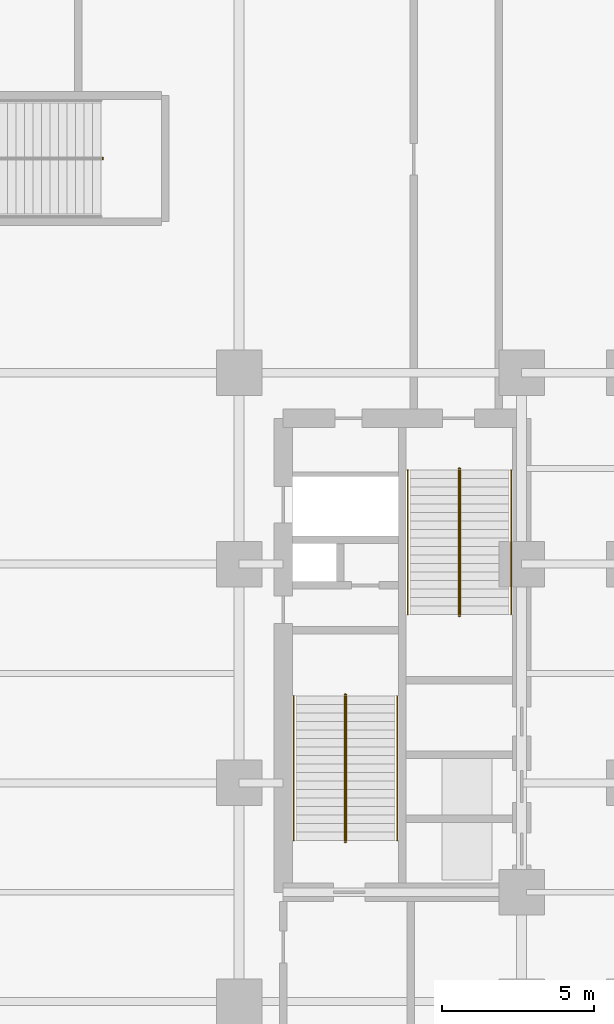
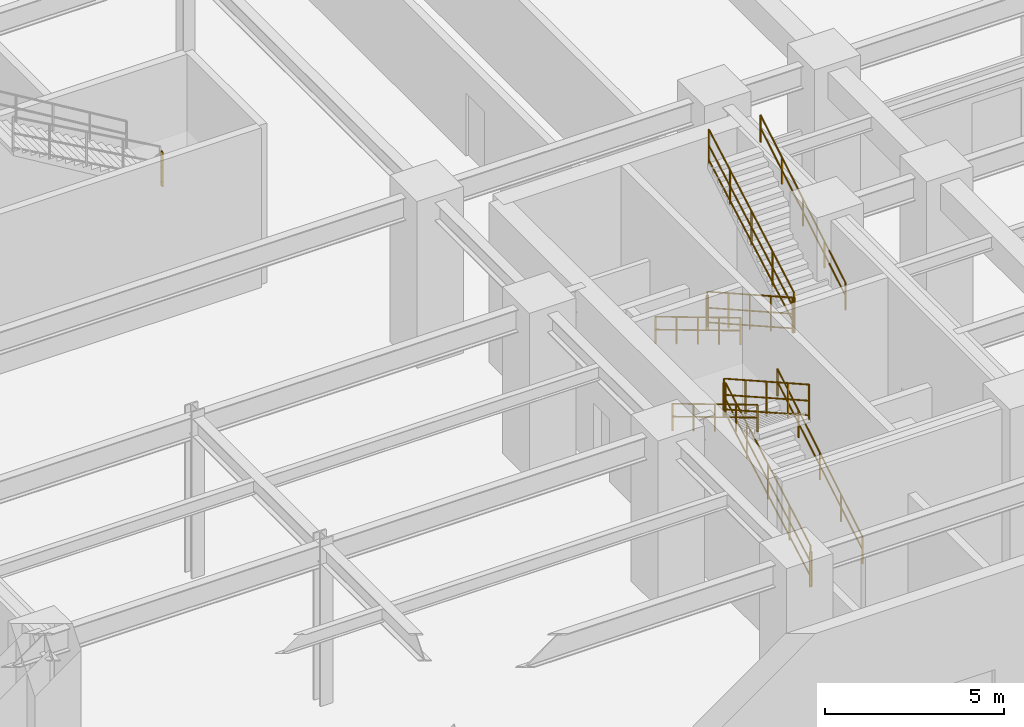
# One storey, part 15 of 18: 13 railings.
"""IFC4 building model written with IfcOpenShell, lengths in metres."""

from ifc_helpers import new_model, entity, si_unit, converted_unit, direction, frame, origin_with_axes, origin_2d_with_axis, place, context, subcontext, project, spatial, rectangle, circle, extrude, material, type_object, element, save


model = new_model("IFC4")

# Units and contexts
model_context = context("Model", 3, precision=1e-05, world=origin_with_axes(), true_north=direction((0.0, 1.0)))
body_context = subcontext(model_context, "Body", "Model", "MODEL_VIEW")
ifc_project = project(units=[si_unit("LENGTHUNIT", "METRE"), si_unit("AREAUNIT", "SQUARE_METRE"), si_unit("VOLUMEUNIT", "CUBIC_METRE"), converted_unit("PLANEANGLEUNIT", "DEGREE", entity("IfcPlaneAngleMeasure", 0.017453292519943295), si_unit("PLANEANGLEUNIT", "RADIAN"), dimensions=[0, 0, 0, 0, 0, 0, 0]), si_unit("MASSUNIT", "GRAM", prefix="KILO"), si_unit("THERMODYNAMICTEMPERATUREUNIT", "KELVIN")], contexts=[model_context])

# Site, building, storey
site_placement = place(None, origin_with_axes())
site = spatial("IfcSite", under=ifc_project, at=site_placement, CompositionType="ELEMENT")
building_placement = place(site_placement, origin_with_axes())
building = spatial("IfcBuilding", under=site, at=building_placement, Name="Varnlund Millrace Tower", CompositionType="ELEMENT")
storey_placement = place(building_placement, origin_with_axes())
storey = spatial("IfcBuildingStorey", under=building, at=storey_placement, Name="L00", CompositionType="ELEMENT", Elevation=0.0)

# Railings
ifc_material_1 = material(Name="Painted steel stair well balustrade guard", Category="steel")
railing_type_1 = type_object("IfcRailingType", Name="Type-StairGuard-1150", PredefinedType="GUARDRAIL", material=ifc_material_1)
railing_1_placement = place(storey_placement, origin_with_axes())
element("IfcRailing", 1, at=railing_1_placement, inside=storey, type_object=railing_type_1, Name="Type-StairGuard-1150", PredefinedType="GUARDRAIL", context=body_context, shape_type="SweptSolid", body=[
    extrude(circle(Radius=0.024, at=origin_2d_with_axis()), frame((42.275, 8.9, 1.317647), z_axis=(0.0, 0.871196, 0.490936), x_axis=(-1.0, 0.0, 0.0)), (0.0, 0.0, 1.0), 5.463755),
    extrude(circle(Radius=0.024, at=origin_2d_with_axis()), frame((42.275, 8.9, 0.267647), z_axis=(0.0, 0.871196, 0.490936), x_axis=(-1.0, 0.0, 0.0)), (0.0, 0.0, 1.0), 5.463755),
    extrude(circle(Radius=0.024, at=origin_2d_with_axis()), frame((42.275, 8.9, 0.765647), z_axis=(0.0, 0.871196, 0.490936), x_axis=(-1.0, 0.0, 0.0)), (0.0, 0.0, 1.0), 5.463755),
    extrude(rectangle(XDim=0.04, YDim=0.04, at=origin_2d_with_axis()), frame((42.275, 8.9, 0.127647), z_axis=(0.0, 0.0, 1.0), x_axis=(1.0, 0.0, 0.0)), (0.0, 0.0, 1.0), 1.19),
    extrude(rectangle(XDim=0.04, YDim=0.04, at=origin_2d_with_axis()), frame((42.275, 10.09, 0.798235), z_axis=(0.0, 0.0, 1.0), x_axis=(1.0, 0.0, 0.0)), (0.0, 0.0, 1.0), 1.19),
    extrude(rectangle(XDim=0.04, YDim=0.04, at=origin_2d_with_axis()), frame((42.275, 11.28, 1.468824), z_axis=(0.0, 0.0, 1.0), x_axis=(1.0, 0.0, 0.0)), (0.0, 0.0, 1.0), 1.19),
    extrude(rectangle(XDim=0.04, YDim=0.04, at=origin_2d_with_axis()), frame((42.275, 12.47, 2.139412), z_axis=(0.0, 0.0, 1.0), x_axis=(1.0, 0.0, 0.0)), (0.0, 0.0, 1.0), 1.19),
    extrude(rectangle(XDim=0.04, YDim=0.04, at=origin_2d_with_axis()), frame((42.275, 13.66, 2.81), z_axis=(0.0, 0.0, 1.0), x_axis=(1.0, 0.0, 0.0)), (0.0, 0.0, 1.0), 1.19),
])
railing_2_placement = place(storey_placement, origin_with_axes())
element("IfcRailing", 2, at=railing_2_placement, inside=storey, type_object=railing_type_1, Name="Type-StairGuard-1150", PredefinedType="GUARDRAIL", context=body_context, shape_type="SweptSolid", body=[
    extrude(circle(Radius=0.024, at=origin_2d_with_axis()), frame((42.225, 13.71, 4.0), z_axis=(1.0, 0.0, 0.0), x_axis=(0.0, 1.0, 0.0)), (0.0, 0.0, 1.0), 0.05),
    extrude(circle(Radius=0.024, at=origin_2d_with_axis()), frame((42.225, 13.71, 2.95), z_axis=(1.0, 0.0, 0.0), x_axis=(0.0, 1.0, 0.0)), (0.0, 0.0, 1.0), 0.05),
    extrude(circle(Radius=0.024, at=origin_2d_with_axis()), frame((42.225, 13.71, 3.448), z_axis=(1.0, 0.0, 0.0), x_axis=(0.0, 1.0, 0.0)), (0.0, 0.0, 1.0), 0.05),
    extrude(rectangle(XDim=0.04, YDim=0.04, at=origin_2d_with_axis()), frame((42.225, 13.71, 2.81), z_axis=(0.0, 0.0, 1.0), x_axis=(1.0, 0.0, 0.0)), (0.0, 0.0, 1.0), 1.19),
    extrude(rectangle(XDim=0.04, YDim=0.04, at=origin_2d_with_axis()), frame((42.275, 13.71, 2.81), z_axis=(0.0, 0.0, 1.0), x_axis=(1.0, 0.0, 0.0)), (0.0, 0.0, 1.0), 1.19),
])
railing_3_placement = place(storey_placement, origin_with_axes())
element("IfcRailing", 3, at=railing_3_placement, inside=storey, type_object=railing_type_1, Name="Type-StairGuard-1150", PredefinedType="GUARDRAIL", context=body_context, shape_type="SweptSolid", body=[
    extrude(circle(Radius=0.024, at=origin_2d_with_axis()), frame((42.225, 13.66, 4.167647), z_axis=(0.0, -0.871196, 0.490936), x_axis=(1.0, 0.0, 0.0)), (0.0, 0.0, 1.0), 5.463755),
    extrude(circle(Radius=0.024, at=origin_2d_with_axis()), frame((42.225, 13.66, 3.117647), z_axis=(0.0, -0.871196, 0.490936), x_axis=(1.0, 0.0, 0.0)), (0.0, 0.0, 1.0), 5.463755),
    extrude(circle(Radius=0.024, at=origin_2d_with_axis()), frame((42.225, 13.66, 3.615647), z_axis=(0.0, -0.871196, 0.490936), x_axis=(1.0, 0.0, 0.0)), (0.0, 0.0, 1.0), 5.463755),
    extrude(rectangle(XDim=0.04, YDim=0.04, at=origin_2d_with_axis()), frame((42.225, 13.66, 2.977647), z_axis=(0.0, 0.0, 1.0), x_axis=(1.0, 0.0, 0.0)), (0.0, 0.0, 1.0), 1.19),
    extrude(rectangle(XDim=0.04, YDim=0.04, at=origin_2d_with_axis()), frame((42.225, 12.47, 3.648235), z_axis=(0.0, 0.0, 1.0), x_axis=(1.0, 0.0, 0.0)), (0.0, 0.0, 1.0), 1.19),
    extrude(rectangle(XDim=0.04, YDim=0.04, at=origin_2d_with_axis()), frame((42.225, 11.28, 4.318824), z_axis=(0.0, 0.0, 1.0), x_axis=(1.0, 0.0, 0.0)), (0.0, 0.0, 1.0), 1.19),
    extrude(rectangle(XDim=0.04, YDim=0.04, at=origin_2d_with_axis()), frame((42.225, 10.09, 4.989412), z_axis=(0.0, 0.0, 1.0), x_axis=(1.0, 0.0, 0.0)), (0.0, 0.0, 1.0), 1.19),
    extrude(rectangle(XDim=0.04, YDim=0.04, at=origin_2d_with_axis()), frame((42.225, 8.9, 5.66), z_axis=(0.0, 0.0, 1.0), x_axis=(1.0, 0.0, 0.0)), (0.0, 0.0, 1.0), 1.19),
])
railing_4_placement = place(storey_placement, origin_with_axes())
element("IfcRailing", 4, at=railing_4_placement, inside=storey, type_object=railing_type_1, Name="Type-StairGuard-1150", PredefinedType="GUARDRAIL", context=body_context, shape_type="SweptSolid", body=[
    extrude(circle(Radius=0.024, at=origin_2d_with_axis()), frame((42.225, 8.85, 1.15), z_axis=(1.0, 0.0, 0.0), x_axis=(0.0, 1.0, 0.0)), (0.0, 0.0, 1.0), 0.05),
    extrude(circle(Radius=0.024, at=origin_2d_with_axis()), frame((42.225, 8.85, 0.1), z_axis=(1.0, 0.0, 0.0), x_axis=(0.0, 1.0, 0.0)), (0.0, 0.0, 1.0), 0.05),
    extrude(circle(Radius=0.024, at=origin_2d_with_axis()), frame((42.225, 8.85, 0.598), z_axis=(1.0, 0.0, 0.0), x_axis=(0.0, 1.0, 0.0)), (0.0, 0.0, 1.0), 0.05),
    extrude(rectangle(XDim=0.04, YDim=0.04, at=origin_2d_with_axis()), frame((42.225, 8.85, -0.04), z_axis=(0.0, 0.0, 1.0), x_axis=(1.0, 0.0, 0.0)), (0.0, 0.0, 1.0), 1.19),
    extrude(rectangle(XDim=0.04, YDim=0.04, at=origin_2d_with_axis()), frame((42.275, 8.85, -0.04), z_axis=(0.0, 0.0, 1.0), x_axis=(1.0, 0.0, 0.0)), (0.0, 0.0, 1.0), 1.19),
])
railing_5_placement = place(storey_placement, origin_with_axes())
element("IfcRailing", 5, at=railing_5_placement, inside=storey, type_object=railing_type_1, Name="Type-StairGuard-1150", PredefinedType="GUARDRAIL", context=body_context, shape_type="SweptSolid", body=[
    extrude(circle(Radius=0.024, at=origin_2d_with_axis()), frame((45.975, 21.1, 1.317647), z_axis=(0.0, -0.871196, 0.490936), x_axis=(1.0, 0.0, 0.0)), (0.0, 0.0, 1.0), 5.463755),
    extrude(circle(Radius=0.024, at=origin_2d_with_axis()), frame((45.975, 21.1, 0.267647), z_axis=(0.0, -0.871196, 0.490936), x_axis=(1.0, 0.0, 0.0)), (0.0, 0.0, 1.0), 5.463755),
    extrude(circle(Radius=0.024, at=origin_2d_with_axis()), frame((45.975, 21.1, 0.765647), z_axis=(0.0, -0.871196, 0.490936), x_axis=(1.0, 0.0, 0.0)), (0.0, 0.0, 1.0), 5.463755),
    extrude(rectangle(XDim=0.04, YDim=0.04, at=origin_2d_with_axis()), frame((45.975, 21.1, 0.127647), z_axis=(0.0, 0.0, 1.0), x_axis=(1.0, 0.0, 0.0)), (0.0, 0.0, 1.0), 1.19),
    extrude(rectangle(XDim=0.04, YDim=0.04, at=origin_2d_with_axis()), frame((45.975, 19.91, 0.798235), z_axis=(0.0, 0.0, 1.0), x_axis=(1.0, 0.0, 0.0)), (0.0, 0.0, 1.0), 1.19),
    extrude(rectangle(XDim=0.04, YDim=0.04, at=origin_2d_with_axis()), frame((45.975, 18.72, 1.468824), z_axis=(0.0, 0.0, 1.0), x_axis=(1.0, 0.0, 0.0)), (0.0, 0.0, 1.0), 1.19),
    extrude(rectangle(XDim=0.04, YDim=0.04, at=origin_2d_with_axis()), frame((45.975, 17.53, 2.139412), z_axis=(0.0, 0.0, 1.0), x_axis=(1.0, 0.0, 0.0)), (0.0, 0.0, 1.0), 1.19),
    extrude(rectangle(XDim=0.04, YDim=0.04, at=origin_2d_with_axis()), frame((45.975, 16.34, 2.81), z_axis=(0.0, 0.0, 1.0), x_axis=(1.0, 0.0, 0.0)), (0.0, 0.0, 1.0), 1.19),
])
railing_6_placement = place(storey_placement, origin_with_axes())
element("IfcRailing", 6, at=railing_6_placement, inside=storey, type_object=railing_type_1, Name="Type-StairGuard-1150", PredefinedType="GUARDRAIL", context=body_context, shape_type="SweptSolid", body=[
    extrude(circle(Radius=0.024, at=origin_2d_with_axis()), frame((46.025, 16.29, 4.0), z_axis=(-1.0, 0.0, 0.0), x_axis=(0.0, -1.0, 0.0)), (0.0, 0.0, 1.0), 0.05),
    extrude(circle(Radius=0.024, at=origin_2d_with_axis()), frame((46.025, 16.29, 2.95), z_axis=(-1.0, 0.0, 0.0), x_axis=(0.0, -1.0, 0.0)), (0.0, 0.0, 1.0), 0.05),
    extrude(circle(Radius=0.024, at=origin_2d_with_axis()), frame((46.025, 16.29, 3.448), z_axis=(-1.0, 0.0, 0.0), x_axis=(0.0, -1.0, 0.0)), (0.0, 0.0, 1.0), 0.05),
    extrude(rectangle(XDim=0.04, YDim=0.04, at=origin_2d_with_axis()), frame((46.025, 16.29, 2.81), z_axis=(0.0, 0.0, 1.0), x_axis=(1.0, 0.0, 0.0)), (0.0, 0.0, 1.0), 1.19),
    extrude(rectangle(XDim=0.04, YDim=0.04, at=origin_2d_with_axis()), frame((45.975, 16.29, 2.81), z_axis=(0.0, 0.0, 1.0), x_axis=(1.0, 0.0, 0.0)), (0.0, 0.0, 1.0), 1.19),
])
railing_7_placement = place(storey_placement, origin_with_axes())
element("IfcRailing", 7, at=railing_7_placement, inside=storey, type_object=railing_type_1, Name="Type-StairGuard-1150", PredefinedType="GUARDRAIL", context=body_context, shape_type="SweptSolid", body=[
    extrude(circle(Radius=0.024, at=origin_2d_with_axis()), frame((46.025, 16.34, 4.167647), z_axis=(0.0, 0.871196, 0.490936), x_axis=(-1.0, 0.0, 0.0)), (0.0, 0.0, 1.0), 5.463755),
    extrude(circle(Radius=0.024, at=origin_2d_with_axis()), frame((46.025, 16.34, 3.117647), z_axis=(0.0, 0.871196, 0.490936), x_axis=(-1.0, 0.0, 0.0)), (0.0, 0.0, 1.0), 5.463755),
    extrude(circle(Radius=0.024, at=origin_2d_with_axis()), frame((46.025, 16.34, 3.615647), z_axis=(0.0, 0.871196, 0.490936), x_axis=(-1.0, 0.0, 0.0)), (0.0, 0.0, 1.0), 5.463755),
    extrude(rectangle(XDim=0.04, YDim=0.04, at=origin_2d_with_axis()), frame((46.025, 16.34, 2.977647), z_axis=(0.0, 0.0, 1.0), x_axis=(1.0, 0.0, 0.0)), (0.0, 0.0, 1.0), 1.19),
    extrude(rectangle(XDim=0.04, YDim=0.04, at=origin_2d_with_axis()), frame((46.025, 17.53, 3.648235), z_axis=(0.0, 0.0, 1.0), x_axis=(1.0, 0.0, 0.0)), (0.0, 0.0, 1.0), 1.19),
    extrude(rectangle(XDim=0.04, YDim=0.04, at=origin_2d_with_axis()), frame((46.025, 18.72, 4.318824), z_axis=(0.0, 0.0, 1.0), x_axis=(1.0, 0.0, 0.0)), (0.0, 0.0, 1.0), 1.19),
    extrude(rectangle(XDim=0.04, YDim=0.04, at=origin_2d_with_axis()), frame((46.025, 19.91, 4.989412), z_axis=(0.0, 0.0, 1.0), x_axis=(1.0, 0.0, 0.0)), (0.0, 0.0, 1.0), 1.19),
    extrude(rectangle(XDim=0.04, YDim=0.04, at=origin_2d_with_axis()), frame((46.025, 21.1, 5.66), z_axis=(0.0, 0.0, 1.0), x_axis=(1.0, 0.0, 0.0)), (0.0, 0.0, 1.0), 1.19),
])
railing_8_placement = place(storey_placement, origin_with_axes())
element("IfcRailing", 8, at=railing_8_placement, inside=storey, type_object=railing_type_1, Name="Type-StairGuard-1150", PredefinedType="GUARDRAIL", context=body_context, shape_type="SweptSolid", body=[
    extrude(circle(Radius=0.024, at=origin_2d_with_axis()), frame((46.025, 21.15, 1.15), z_axis=(-1.0, 0.0, 0.0), x_axis=(0.0, -1.0, 0.0)), (0.0, 0.0, 1.0), 0.05),
    extrude(circle(Radius=0.024, at=origin_2d_with_axis()), frame((46.025, 21.15, 0.1), z_axis=(-1.0, 0.0, 0.0), x_axis=(0.0, -1.0, 0.0)), (0.0, 0.0, 1.0), 0.05),
    extrude(circle(Radius=0.024, at=origin_2d_with_axis()), frame((46.025, 21.15, 0.598), z_axis=(-1.0, 0.0, 0.0), x_axis=(0.0, -1.0, 0.0)), (0.0, 0.0, 1.0), 0.05),
    extrude(rectangle(XDim=0.04, YDim=0.04, at=origin_2d_with_axis()), frame((46.025, 21.15, -0.04), z_axis=(0.0, 0.0, 1.0), x_axis=(1.0, 0.0, 0.0)), (0.0, 0.0, 1.0), 1.19),
    extrude(rectangle(XDim=0.04, YDim=0.04, at=origin_2d_with_axis()), frame((45.975, 21.15, -0.04), z_axis=(0.0, 0.0, 1.0), x_axis=(1.0, 0.0, 0.0)), (0.0, 0.0, 1.0), 1.19),
])
railing_9_placement = place(storey_placement, origin_with_axes())
element("IfcRailing", 9, at=railing_9_placement, inside=storey, type_object=railing_type_1, Name="Type-StairGuard-1150", PredefinedType="GUARDRAIL", context=body_context, shape_type="SweptSolid", body=[
    extrude(circle(Radius=0.024, at=origin_2d_with_axis()), frame((34.26, 31.375, 4.0), z_axis=(0.0, -1.0, 0.0), x_axis=(1.0, 0.0, 0.0)), (0.0, 0.0, 1.0), 0.05),
    extrude(circle(Radius=0.024, at=origin_2d_with_axis()), frame((34.26, 31.375, 2.95), z_axis=(0.0, -1.0, 0.0), x_axis=(1.0, 0.0, 0.0)), (0.0, 0.0, 1.0), 0.05),
    extrude(circle(Radius=0.024, at=origin_2d_with_axis()), frame((34.26, 31.375, 3.448), z_axis=(0.0, -1.0, 0.0), x_axis=(1.0, 0.0, 0.0)), (0.0, 0.0, 1.0), 0.05),
    extrude(rectangle(XDim=0.04, YDim=0.04, at=origin_2d_with_axis()), frame((34.26, 31.375, 2.81), z_axis=(0.0, 0.0, 1.0), x_axis=(1.0, 0.0, 0.0)), (0.0, 0.0, 1.0), 1.19),
    extrude(rectangle(XDim=0.04, YDim=0.04, at=origin_2d_with_axis()), frame((34.26, 31.325, 2.81), z_axis=(0.0, 0.0, 1.0), x_axis=(1.0, 0.0, 0.0)), (0.0, 0.0, 1.0), 1.19),
])
ifc_material_2 = material(Name="Brushed architectural bronze stair handrail", Category="aluminium")
railing_type_2 = type_object("IfcRailingType", Name="Type-StairHandrail-900", PredefinedType="HANDRAIL", material=ifc_material_2)
railing_10_placement = place(storey_placement, origin_with_axes())
element("IfcRailing", 10, at=railing_10_placement, inside=storey, type_object=railing_type_2, Name="Type-StairHandrail-900", PredefinedType="HANDRAIL", context=body_context, shape_type="SweptSolid", body=[
    extrude(circle(Radius=0.024, at=origin_2d_with_axis()), frame((43.95, 8.9, 1.047056), z_axis=(0.0, 0.85797, 0.5137), x_axis=(-1.0, 0.0, 0.0)), (0.0, 0.0, 1.0), 5.547982),
    extrude(circle(Radius=0.024, at=origin_2d_with_axis()), frame((43.95, 8.9, 0.607351), z_axis=(0.0, 0.85797, 0.5137), x_axis=(-1.0, 0.0, 0.0)), (0.0, 0.0, 1.0), 5.547982),
    extrude(rectangle(XDim=0.04, YDim=0.04, at=origin_2d_with_axis()), frame((43.95, 8.9, 0.127647), z_axis=(0.0, 0.0, 1.0), x_axis=(1.0, 0.0, 0.0)), (0.0, 0.0, 1.0), 0.919409),
    extrude(rectangle(XDim=0.04, YDim=0.04, at=origin_2d_with_axis()), frame((43.95, 10.09, 0.840147), z_axis=(0.0, 0.0, 1.0), x_axis=(1.0, 0.0, 0.0)), (0.0, 0.0, 1.0), 0.919409),
    extrude(rectangle(XDim=0.04, YDim=0.04, at=origin_2d_with_axis()), frame((43.95, 11.28, 1.552647), z_axis=(0.0, 0.0, 1.0), x_axis=(1.0, 0.0, 0.0)), (0.0, 0.0, 1.0), 0.919409),
    extrude(rectangle(XDim=0.04, YDim=0.04, at=origin_2d_with_axis()), frame((43.95, 12.47, 2.265147), z_axis=(0.0, 0.0, 1.0), x_axis=(1.0, 0.0, 0.0)), (0.0, 0.0, 1.0), 0.919409),
    extrude(rectangle(XDim=0.04, YDim=0.04, at=origin_2d_with_axis()), frame((43.95, 13.66, 2.977647), z_axis=(0.0, 0.0, 1.0), x_axis=(1.0, 0.0, 0.0)), (0.0, 0.0, 1.0), 0.919409),
])
railing_11_placement = place(storey_placement, origin_with_axes())
element("IfcRailing", 11, at=railing_11_placement, inside=storey, type_object=railing_type_2, Name="Type-StairHandrail-900", PredefinedType="HANDRAIL", context=body_context, shape_type="SweptSolid", body=[
    extrude(circle(Radius=0.024, at=origin_2d_with_axis()), frame((40.55, 13.66, 3.897056), z_axis=(0.0, -0.85797, 0.5137), x_axis=(1.0, 0.0, 0.0)), (0.0, 0.0, 1.0), 5.547982),
    extrude(circle(Radius=0.024, at=origin_2d_with_axis()), frame((40.55, 13.66, 3.457351), z_axis=(0.0, -0.85797, 0.5137), x_axis=(1.0, 0.0, 0.0)), (0.0, 0.0, 1.0), 5.547982),
    extrude(rectangle(XDim=0.04, YDim=0.04, at=origin_2d_with_axis()), frame((40.55, 13.66, 2.977647), z_axis=(0.0, 0.0, 1.0), x_axis=(1.0, 0.0, 0.0)), (0.0, 0.0, 1.0), 0.919409),
    extrude(rectangle(XDim=0.04, YDim=0.04, at=origin_2d_with_axis()), frame((40.55, 12.47, 3.690147), z_axis=(0.0, 0.0, 1.0), x_axis=(1.0, 0.0, 0.0)), (0.0, 0.0, 1.0), 0.919409),
    extrude(rectangle(XDim=0.04, YDim=0.04, at=origin_2d_with_axis()), frame((40.55, 11.28, 4.402647), z_axis=(0.0, 0.0, 1.0), x_axis=(1.0, 0.0, 0.0)), (0.0, 0.0, 1.0), 0.919409),
    extrude(rectangle(XDim=0.04, YDim=0.04, at=origin_2d_with_axis()), frame((40.55, 10.09, 5.115147), z_axis=(0.0, 0.0, 1.0), x_axis=(1.0, 0.0, 0.0)), (0.0, 0.0, 1.0), 0.919409),
    extrude(rectangle(XDim=0.04, YDim=0.04, at=origin_2d_with_axis()), frame((40.55, 8.9, 5.827647), z_axis=(0.0, 0.0, 1.0), x_axis=(1.0, 0.0, 0.0)), (0.0, 0.0, 1.0), 0.919409),
])
railing_12_placement = place(storey_placement, origin_with_axes())
element("IfcRailing", 12, at=railing_12_placement, inside=storey, type_object=railing_type_2, Name="Type-StairHandrail-900", PredefinedType="HANDRAIL", context=body_context, shape_type="SweptSolid", body=[
    extrude(circle(Radius=0.024, at=origin_2d_with_axis()), frame((44.3, 21.1, 1.047056), z_axis=(0.0, -0.85797, 0.5137), x_axis=(1.0, 0.0, 0.0)), (0.0, 0.0, 1.0), 5.547982),
    extrude(circle(Radius=0.024, at=origin_2d_with_axis()), frame((44.3, 21.1, 0.607351), z_axis=(0.0, -0.85797, 0.5137), x_axis=(1.0, 0.0, 0.0)), (0.0, 0.0, 1.0), 5.547982),
    extrude(rectangle(XDim=0.04, YDim=0.04, at=origin_2d_with_axis()), frame((44.3, 21.1, 0.127647), z_axis=(0.0, 0.0, 1.0), x_axis=(1.0, 0.0, 0.0)), (0.0, 0.0, 1.0), 0.919409),
    extrude(rectangle(XDim=0.04, YDim=0.04, at=origin_2d_with_axis()), frame((44.3, 19.91, 0.840147), z_axis=(0.0, 0.0, 1.0), x_axis=(1.0, 0.0, 0.0)), (0.0, 0.0, 1.0), 0.919409),
    extrude(rectangle(XDim=0.04, YDim=0.04, at=origin_2d_with_axis()), frame((44.3, 18.72, 1.552647), z_axis=(0.0, 0.0, 1.0), x_axis=(1.0, 0.0, 0.0)), (0.0, 0.0, 1.0), 0.919409),
    extrude(rectangle(XDim=0.04, YDim=0.04, at=origin_2d_with_axis()), frame((44.3, 17.53, 2.265147), z_axis=(0.0, 0.0, 1.0), x_axis=(1.0, 0.0, 0.0)), (0.0, 0.0, 1.0), 0.919409),
    extrude(rectangle(XDim=0.04, YDim=0.04, at=origin_2d_with_axis()), frame((44.3, 16.34, 2.977647), z_axis=(0.0, 0.0, 1.0), x_axis=(1.0, 0.0, 0.0)), (0.0, 0.0, 1.0), 0.919409),
])
railing_13_placement = place(storey_placement, origin_with_axes())
element("IfcRailing", 13, at=railing_13_placement, inside=storey, type_object=railing_type_2, Name="Type-StairHandrail-900", PredefinedType="HANDRAIL", context=body_context, shape_type="SweptSolid", body=[
    extrude(circle(Radius=0.024, at=origin_2d_with_axis()), frame((47.7, 16.34, 3.897056), z_axis=(0.0, 0.85797, 0.5137), x_axis=(-1.0, 0.0, 0.0)), (0.0, 0.0, 1.0), 5.547982),
    extrude(circle(Radius=0.024, at=origin_2d_with_axis()), frame((47.7, 16.34, 3.457351), z_axis=(0.0, 0.85797, 0.5137), x_axis=(-1.0, 0.0, 0.0)), (0.0, 0.0, 1.0), 5.547982),
    extrude(rectangle(XDim=0.04, YDim=0.04, at=origin_2d_with_axis()), frame((47.7, 16.34, 2.977647), z_axis=(0.0, 0.0, 1.0), x_axis=(1.0, 0.0, 0.0)), (0.0, 0.0, 1.0), 0.919409),
    extrude(rectangle(XDim=0.04, YDim=0.04, at=origin_2d_with_axis()), frame((47.7, 17.53, 3.690147), z_axis=(0.0, 0.0, 1.0), x_axis=(1.0, 0.0, 0.0)), (0.0, 0.0, 1.0), 0.919409),
    extrude(rectangle(XDim=0.04, YDim=0.04, at=origin_2d_with_axis()), frame((47.7, 18.72, 4.402647), z_axis=(0.0, 0.0, 1.0), x_axis=(1.0, 0.0, 0.0)), (0.0, 0.0, 1.0), 0.919409),
    extrude(rectangle(XDim=0.04, YDim=0.04, at=origin_2d_with_axis()), frame((47.7, 19.91, 5.115147), z_axis=(0.0, 0.0, 1.0), x_axis=(1.0, 0.0, 0.0)), (0.0, 0.0, 1.0), 0.919409),
    extrude(rectangle(XDim=0.04, YDim=0.04, at=origin_2d_with_axis()), frame((47.7, 21.1, 5.827647), z_axis=(0.0, 0.0, 1.0), x_axis=(1.0, 0.0, 0.0)), (0.0, 0.0, 1.0), 0.919409),
])

save(model, "model.ifc")
